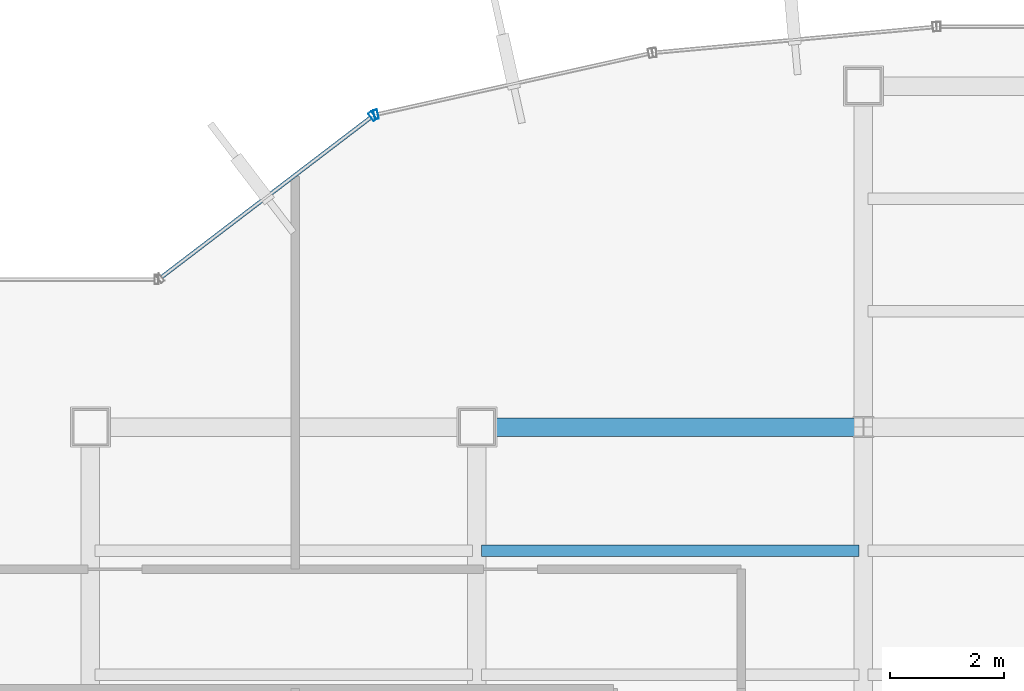
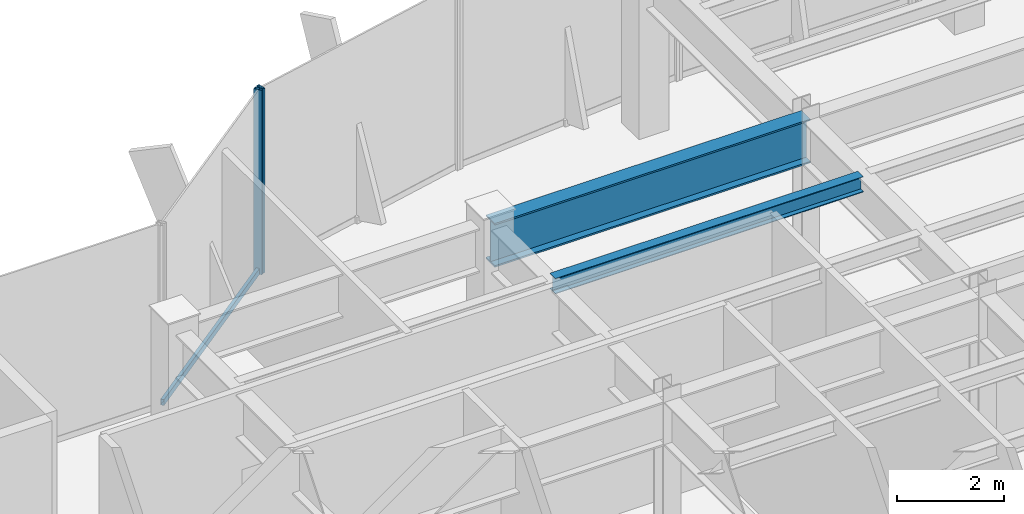
# One storey, part 10 of 26: 3 members, 2 beams, 2 elements without a shape of their own.
"""IFC4 building model written with IfcOpenShell, lengths in metres."""

from ifc_helpers import new_model, si_unit, derived_unit, direction, frame, origin, origin_2d, place, context, subcontext, project, spatial, hollow_rectangle, i_section, extrude, source, transform, mapped, material, material_profile, profile_set, type_object, element, aggregate, save


model = new_model("IFC4")

# Units and contexts
model_context = context("Model", 3, precision=1e-05, world=origin(), true_north=direction((0.0, 1.0)))
body_context = subcontext(model_context, "Body", "Model", "MODEL_VIEW")
ifc_project = project(units=[si_unit("LENGTHUNIT", "METRE"), si_unit("AREAUNIT", "SQUARE_METRE"), si_unit("VOLUMEUNIT", "CUBIC_METRE"), si_unit("PLANEANGLEUNIT", "RADIAN"), si_unit("MASSUNIT", "GRAM", prefix="KILO"), derived_unit("THERMALTRANSMITTANCEUNIT", [(si_unit("POWERUNIT", "WATT"), 1), (si_unit("LENGTHUNIT", "METRE"), -2), (si_unit("THERMODYNAMICTEMPERATUREUNIT", "KELVIN"), -1)])], contexts=[model_context])

# Site, building, storey
site_placement = place(None, origin())
site = spatial("IfcSite", under=ifc_project, at=site_placement, CompositionType="ELEMENT")
building_placement = place(site_placement, origin())
building = spatial("IfcBuilding", under=site, at=building_placement, Name="Skarnbrae Concourse Arena and Tower", CompositionType="ELEMENT")
storey_placement = place(building_placement, frame((0.0, 0.0, 184.39990234375)))
storey = spatial("IfcBuildingStorey", under=building, at=storey_placement, Name="L47", CompositionType="ELEMENT", Elevation=184.39990234375)

# Beams
ifc_material_1 = material(Name="Steel CSA G40.21 350W", Category="steel")
ifc_material_profile_1 = material_profile(ifc_material_1, i_section(OverallWidth=0.327880859375, OverallDepth=1.0, WebThickness=0.02099609375, FlangeThickness=0.03759765625, at=origin_2d()), Name="W1000X371")
ifc_profile_set_1 = profile_set([ifc_material_profile_1], Name="Steel CSA G40.21 350W")
beam_type_1 = type_object("IfcBeamType", Name="BM-XFER-W1000X371", PredefinedType="BEAM", material=ifc_profile_set_1)
shared_shape_1 = source(origin(), body_context, "Body", "SweptSolid", [
    extrude(i_section(OverallWidth=0.327880859375, OverallDepth=1.0, WebThickness=0.02099609375, FlangeThickness=0.03759765625, at=origin_2d()), origin(), (0.0, 0.0, 1.0), 6.800048828125),
])
beam_1_placement = place(storey_placement, frame((14.39990234375, 34.39990234375, 3.400146484375), z_axis=(1.0, 0.0, 0.0), x_axis=(0.0, 1.0, 0.0)))
element("IfcBeam", 1, at=beam_1_placement, inside=storey, type_object=beam_type_1, Name="L47 Primary E-W girder Y34.4-2", PredefinedType="BEAM", context=body_context, shape_type="MappedRepresentation", body=[
    mapped(shared_shape_1, transform((0.0, 0.0, 0.0))),
])
ifc_material_profile_2 = material_profile(ifc_material_1, i_section(OverallWidth=0.205078125, OverallDepth=0.35400390625, WebThickness=0.009521484375, FlangeThickness=0.016845703125, at=origin_2d()), Name="W360X79")
ifc_profile_set_2 = profile_set([ifc_material_profile_2], Name="Steel CSA G40.21 350W")
beam_type_2 = type_object("IfcBeamType", Name="BM-JOIST-W360X79", PredefinedType="JOIST", material=ifc_profile_set_2)
shared_shape_2 = source(origin(), body_context, "Body", "SweptSolid", [
    extrude(i_section(OverallWidth=0.205078125, OverallDepth=0.35400390625, WebThickness=0.009521484375, FlangeThickness=0.016845703125, at=origin_2d()), origin(), (0.0, 0.0, 1.0), 6.64013671875),
])
beam_2_placement = place(storey_placement, frame((14.47998046875, 32.221923828125, 3.72314453125), z_axis=(1.0, 0.0, 0.0), x_axis=(0.0, 1.0, 0.0)))
element("IfcBeam", 2, at=beam_2_placement, inside=storey, type_object=beam_type_2, Name="L47 Secondary floor joist 3.2.2", PredefinedType="JOIST", context=body_context, shape_type="MappedRepresentation", body=[
    mapped(shared_shape_2, transform((0.0, 0.0, 0.0))),
])

# Curtain wall, member
ifc_material_2 = material(Name="Bronze anodised aluminium 6063-T6", Category="aluminium")
curtain_wall_type = type_object("IfcCurtainWallType", Name="CW-SYS-06-SKYLOBBY", PredefinedType="USERDEFINED", material=ifc_material_2)
curtain_wall_1_placement = place(storey_placement, origin())
curtain_wall_1 = element("IfcCurtainWall", 3, at=curtain_wall_1_placement, inside=storey, type_object=curtain_wall_type, Name="L47 Unitised curtain wall CW-L47-E13", ObjectType="UNITISED CURTAIN WALL", PredefinedType="USERDEFINED")
ifc_material_profile_3 = material_profile(ifc_material_2, hollow_rectangle(XDim=0.070068359375, YDim=0.1650390625, WallThickness=0.00390625, at=origin_2d()), Name="ALU-MULL-70X165")
ifc_profile_set_3 = profile_set([ifc_material_profile_3], Name="Bronze anodised aluminium 6063-T6")
member_type_1 = type_object("IfcMemberType", Name="CWM-CW-06", PredefinedType="MULLION", material=ifc_profile_set_3)
shared_shape_3 = source(origin(), body_context, "Body", "SweptSolid", [
    extrude(hollow_rectangle(XDim=0.070068359375, YDim=0.1650390625, WallThickness=0.00390625, at=origin_2d()), origin(), (0.0, 0.0, 1.0), 4.2001953125),
])
member_1_placement = place(storey_placement, frame((12.624755859375, 39.900390625, 0.0), z_axis=(0.0, 0.0, 1.0), x_axis=(-0.975936175393, -0.218056372433, 0.0)))
member_1 = element("IfcMember", 4, at=member_1_placement, type_object=member_type_1, Name="CW-L47-E13 Mullion 2", PredefinedType="MULLION", context=body_context, shape_type="MappedRepresentation", body=[
    mapped(shared_shape_3, transform((0.0, 0.0, 0.0))),
])
aggregate(curtain_wall_1, [member_1])

# Curtain wall, members
curtain_wall_2_placement = place(storey_placement, origin())
curtain_wall_2 = element("IfcCurtainWall", 5, at=curtain_wall_2_placement, inside=storey, type_object=curtain_wall_type, Name="L47 Unitised curtain wall CW-L47-E14", ObjectType="UNITISED CURTAIN WALL", PredefinedType="USERDEFINED")
member_2_placement = place(storey_placement, frame((12.562744140625, 39.87158203125, 0.0), z_axis=(0.0, 0.0, 1.0), x_axis=(-0.794956000706, -0.606667089054, 0.0)))
member_2 = element("IfcMember", 6, at=member_2_placement, type_object=member_type_1, Name="CW-L47-E14 Mullion 1", PredefinedType="MULLION", context=body_context, shape_type="MappedRepresentation", body=[
    mapped(shared_shape_3, transform((0.0, 0.0, 0.0))),
])
ifc_material_profile_4 = material_profile(ifc_material_2, hollow_rectangle(XDim=0.070068359375, YDim=0.135009765625, WallThickness=0.00390625, at=origin_2d()), Name="ALU-TRAN-70X135")
ifc_profile_set_4 = profile_set([ifc_material_profile_4], Name="Bronze anodised aluminium 6063-T6")
member_type_2 = type_object("IfcMemberType", Name="CWT-CW-06", PredefinedType="USERDEFINED", material=ifc_profile_set_4)
shared_shape_4 = source(origin(), body_context, "Body", "SweptSolid", [
    extrude(hollow_rectangle(XDim=0.070068359375, YDim=0.135009765625, WallThickness=0.00390625, at=origin_2d()), origin(), (0.0, 0.0, 1.0), 4.628173828125),
])
member_3_placement = place(storey_placement, frame((12.534912109375, 39.85009765625, 0.067626953125), z_axis=(-0.794971330583, -0.606647000777, 0.0), x_axis=(0.606647000777, -0.794971330583, 0.0)))
member_3 = element("IfcMember", 7, at=member_3_placement, type_object=member_type_2, Name="CW-L47-E14 Transom 1", ObjectType="TRANSOM", PredefinedType="USERDEFINED", context=body_context, shape_type="MappedRepresentation", body=[
    mapped(shared_shape_4, transform((0.0, 0.0, 0.0))),
])
aggregate(curtain_wall_2, [member_2, member_3])

save(model, "model.ifc")
